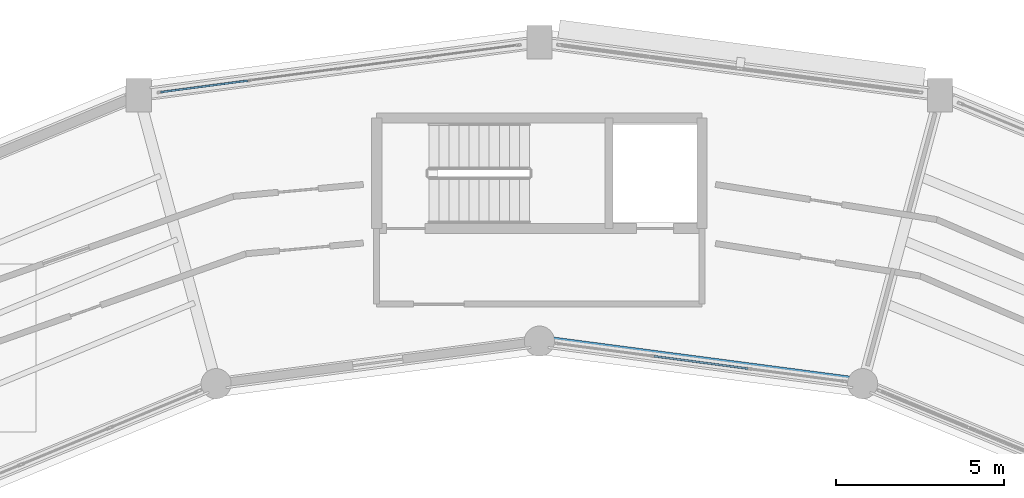
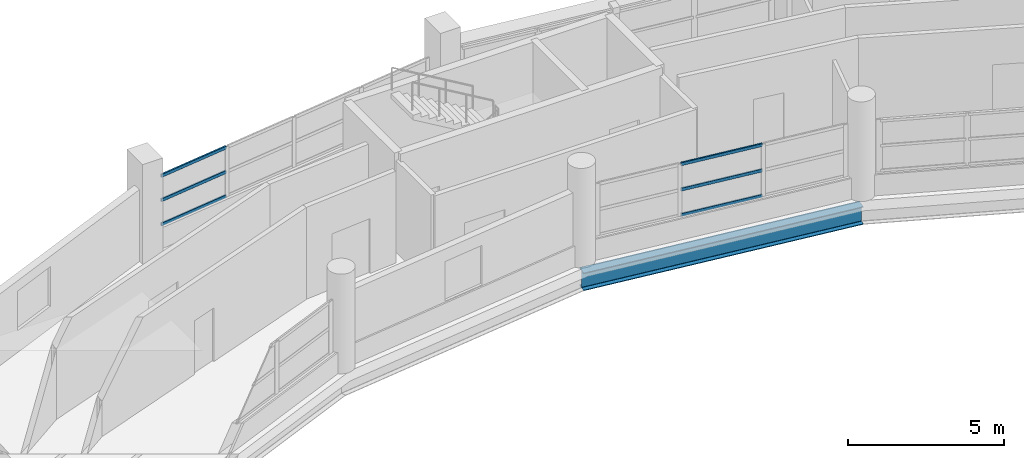
# One storey, part 74 of 108: 6 members, 1 beam, 2 elements without a shape of their own.
"""IFC4 building model written with IfcOpenShell, lengths in metres."""

from ifc_helpers import new_model, si_unit, direction, frame, origin, origin_2d, place, context, subcontext, project, spatial, hollow_rectangle, i_section, extrude, material, layer, layer_set, material_profile, profile_set, type_object, element, aggregate, save


model = new_model("IFC4")

# Units and contexts
model_context = context("Model", 3, precision=1e-05, world=origin(), true_north=direction((0.0, 1.0)))
body_context = subcontext(model_context, "Body", "Model", "MODEL_VIEW")
ifc_project = project(units=[si_unit("LENGTHUNIT", "METRE"), si_unit("AREAUNIT", "SQUARE_METRE"), si_unit("VOLUMEUNIT", "CUBIC_METRE"), si_unit("PLANEANGLEUNIT", "RADIAN"), si_unit("MASSUNIT", "GRAM", prefix="KILO")], contexts=[model_context])

# Site, building, storey
site_placement = place(None, origin())
site = spatial("IfcSite", under=ifc_project, at=site_placement, CompositionType="ELEMENT")
building_placement = place(site_placement, origin())
building = spatial("IfcBuilding", under=site, at=building_placement, Name="Vespera Passage Community Centre", CompositionType="ELEMENT")
storey_placement = place(building_placement, frame((0.0, 0.0, 12.60009765625)))
storey = spatial("IfcBuildingStorey", under=building, at=storey_placement, Name="L03", CompositionType="ELEMENT", Elevation=12.60009765625)

# Beam
ifc_material_1 = material(Name="Steel ASTM A992 Grade 50", Category="steel")
ifc_material_profile_1 = material_profile(ifc_material_1, i_section(OverallWidth=0.3544921875, OverallDepth=0.695556640625, WebThickness=0.015380859375, FlangeThickness=0.024658203125, FilletRadius=0.01513671875, at=origin_2d()), Name="W27X146")
ifc_profile_set_1 = profile_set([ifc_material_profile_1], Name="Steel ASTM A992 Grade 50")
beam_type = type_object("IfcBeamType", Name="BM-SP-W27X146E", PredefinedType="SPANDREL", material=ifc_profile_set_1)
beam_placement = place(storey_placement, frame((87.628173828125, 101.432373046875, -0.747802734375), z_axis=(-0.991444794834, 0.130526697639, 0.0), x_axis=(-0.130526697639, -0.991444794834, 0.0)))
element("IfcBeam", 1, at=beam_placement, inside=storey, type_object=beam_type, Name="V4 L03 Inner Spandrel 5", PredefinedType="SPANDREL", context=body_context, shape_type="SweptSolid", body=[
    extrude(i_section(OverallWidth=0.3544921875, OverallDepth=0.695556640625, WebThickness=0.015380859375, FlangeThickness=0.024658203125, FilletRadius=0.01513671875, at=origin_2d()), origin(), (0.0, 0.0, 1.0), 9.711181640625),
])

# Curtain wall, members
ifc_material_2 = material(Name="Anodized aluminium 6063-T6", Category="aluminium")
ifc_layer_1 = layer(ifc_material_2, 0.159912109375)
ifc_layer_set_1 = layer_set([ifc_layer_1], Name="Anodized aluminium 6063-T6")
curtain_wall_type_1 = type_object("IfcCurtainWallType", Name="CW-42E", PredefinedType="NOTDEFINED", material=ifc_layer_set_1)
curtain_wall_1_placement = place(storey_placement, origin())
curtain_wall_1 = element("IfcCurtainWall", 2, at=curtain_wall_1_placement, inside=storey, type_object=curtain_wall_type_1, Name="V4 L03 Inner Court Curtain Wall 5", PredefinedType="NOTDEFINED")
ifc_material_3 = material(Name="Anodized aluminium 6063-T6", Category="aluminium")
ifc_material_profile_2 = material_profile(ifc_material_3, hollow_rectangle(XDim=0.06005859375, YDim=0.1201171875, WallThickness=0.00390625, InnerFilletRadius=0.001953125, OuterFilletRadius=0.00390625, at=origin_2d()), Name="ALU120X60X4")
ifc_profile_set_2 = profile_set([ifc_material_profile_2], Name="Anodized aluminium 6063-T6")
member_type = type_object("IfcMemberType", Name="MB-CWT-120E", PredefinedType="USERDEFINED", material=ifc_profile_set_2)
member_1_placement = place(storey_placement, frame((84.21533203125, 101.881591796875, 0.849853515625), z_axis=(-0.991437826512, 0.130579616175, 0.0), x_axis=(-0.130579616175, -0.991437826512, 0.0)))
member_1 = element("IfcMember", 3, at=member_1_placement, type_object=member_type, Name="CW-42E transom 2.1", ObjectType="TRANSOM", PredefinedType="USERDEFINED", context=body_context, shape_type="SweptSolid", body=[
    extrude(hollow_rectangle(XDim=0.06005859375, YDim=0.1201171875, WallThickness=0.00390625, InnerFilletRadius=0.001953125, OuterFilletRadius=0.00390625, at=origin_2d()), origin(), (0.0, 0.0, 1.0), 2.826904296875),
])
member_2_placement = place(storey_placement, frame((84.21533203125, 101.881591796875, 1.844482421875), z_axis=(-0.991437826512, 0.130579616175, 0.0), x_axis=(-0.130579616175, -0.991437826512, 0.0)))
member_2 = element("IfcMember", 4, at=member_2_placement, type_object=member_type, Name="CW-42E transom 2.2", ObjectType="TRANSOM", PredefinedType="USERDEFINED", context=body_context, shape_type="SweptSolid", body=[
    extrude(hollow_rectangle(XDim=0.06005859375, YDim=0.1201171875, WallThickness=0.00390625, InnerFilletRadius=0.001953125, OuterFilletRadius=0.00390625, at=origin_2d()), origin(), (0.0, 0.0, 1.0), 2.826904296875),
])
member_3_placement = place(storey_placement, frame((84.21533203125, 101.881591796875, 2.83935546875), z_axis=(-0.991437826512, 0.130579616175, 0.0), x_axis=(-0.130579616175, -0.991437826512, 0.0)))
member_3 = element("IfcMember", 5, at=member_3_placement, type_object=member_type, Name="CW-42E transom 2.3", ObjectType="TRANSOM", PredefinedType="USERDEFINED", context=body_context, shape_type="SweptSolid", body=[
    extrude(hollow_rectangle(XDim=0.06005859375, YDim=0.1201171875, WallThickness=0.00390625, InnerFilletRadius=0.001953125, OuterFilletRadius=0.00390625, at=origin_2d()), origin(), (0.0, 0.0, 1.0), 2.826904296875),
])
aggregate(curtain_wall_1, [member_1, member_2, member_3])

ifc_material_4 = material(Name="Anodized aluminium 6063-T6", Category="aluminium")
ifc_layer_2 = layer(ifc_material_4, 0.159912109375)
ifc_layer_set_2 = layer_set([ifc_layer_2], Name="Anodized aluminium 6063-T6")
curtain_wall_type_2 = type_object("IfcCurtainWallType", Name="CW-43E", PredefinedType="NOTDEFINED", material=ifc_layer_set_2)
curtain_wall_2_placement = place(storey_placement, origin())
curtain_wall_2 = element("IfcCurtainWall", 6, at=curtain_wall_2_placement, inside=storey, type_object=curtain_wall_type_2, Name="V4 L03 Outer Ribbon Curtain Wall 6", PredefinedType="NOTDEFINED")
member_4_placement = place(storey_placement, frame((66.720947265625, 110.114990234375, 0.849853515625), z_axis=(0.991443486455, 0.130536635342, 0.0), x_axis=(-0.130536635342, 0.991443486455, 0.0)))
member_4 = element("IfcMember", 7, at=member_4_placement, type_object=member_type, Name="CW-43E transom 1.1", ObjectType="TRANSOM", PredefinedType="USERDEFINED", context=body_context, shape_type="SweptSolid", body=[
    extrude(hollow_rectangle(XDim=0.06005859375, YDim=0.1201171875, WallThickness=0.00390625, InnerFilletRadius=0.001953125, OuterFilletRadius=0.00390625, at=origin_2d()), origin(), (0.0, 0.0, 1.0), 2.61474609375),
])
member_5_placement = place(storey_placement, frame((66.720947265625, 110.114990234375, 1.802734375), z_axis=(0.991443486455, 0.130536635342, 0.0), x_axis=(-0.130536635342, 0.991443486455, 0.0)))
member_5 = element("IfcMember", 8, at=member_5_placement, type_object=member_type, Name="CW-43E transom 1.2", ObjectType="TRANSOM", PredefinedType="USERDEFINED", context=body_context, shape_type="SweptSolid", body=[
    extrude(hollow_rectangle(XDim=0.06005859375, YDim=0.1201171875, WallThickness=0.00390625, InnerFilletRadius=0.001953125, OuterFilletRadius=0.00390625, at=origin_2d()), origin(), (0.0, 0.0, 1.0), 2.61474609375),
])
member_6_placement = place(storey_placement, frame((66.720947265625, 110.114990234375, 2.755615234375), z_axis=(0.991443486455, 0.130536635342, 0.0), x_axis=(-0.130536635342, 0.991443486455, 0.0)))
member_6 = element("IfcMember", 9, at=member_6_placement, type_object=member_type, Name="CW-43E transom 1.3", ObjectType="TRANSOM", PredefinedType="USERDEFINED", context=body_context, shape_type="SweptSolid", body=[
    extrude(hollow_rectangle(XDim=0.06005859375, YDim=0.1201171875, WallThickness=0.00390625, InnerFilletRadius=0.001953125, OuterFilletRadius=0.00390625, at=origin_2d()), origin(), (0.0, 0.0, 1.0), 2.61474609375),
])
aggregate(curtain_wall_2, [member_4, member_5, member_6])

save(model, "model.ifc")
